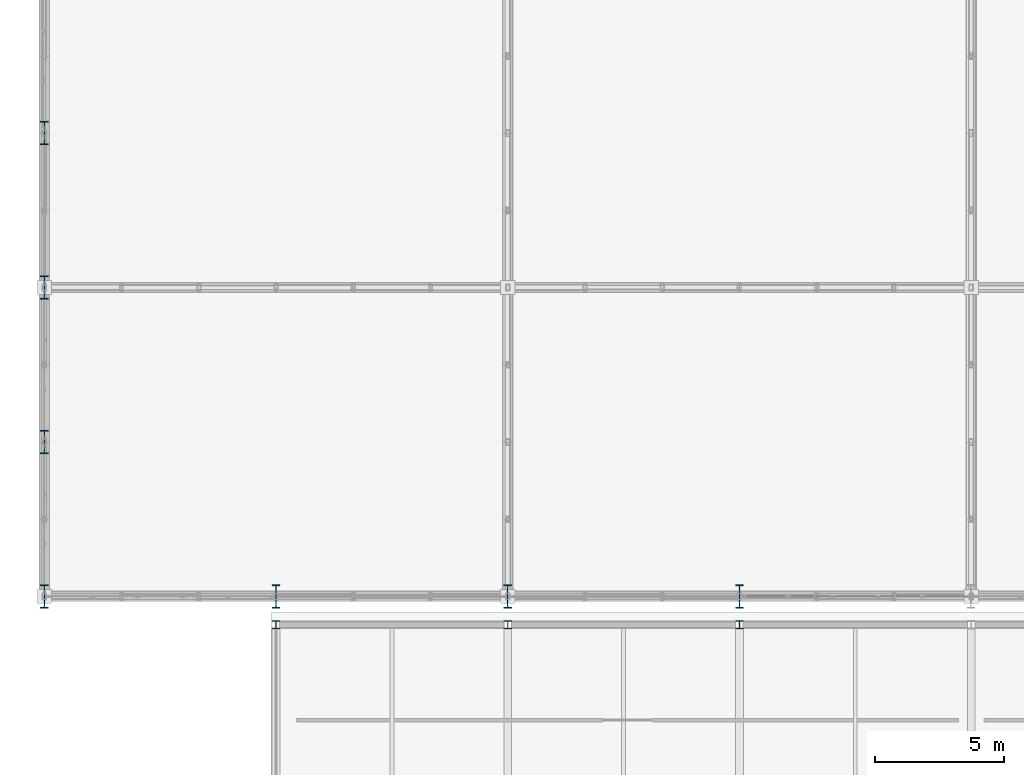
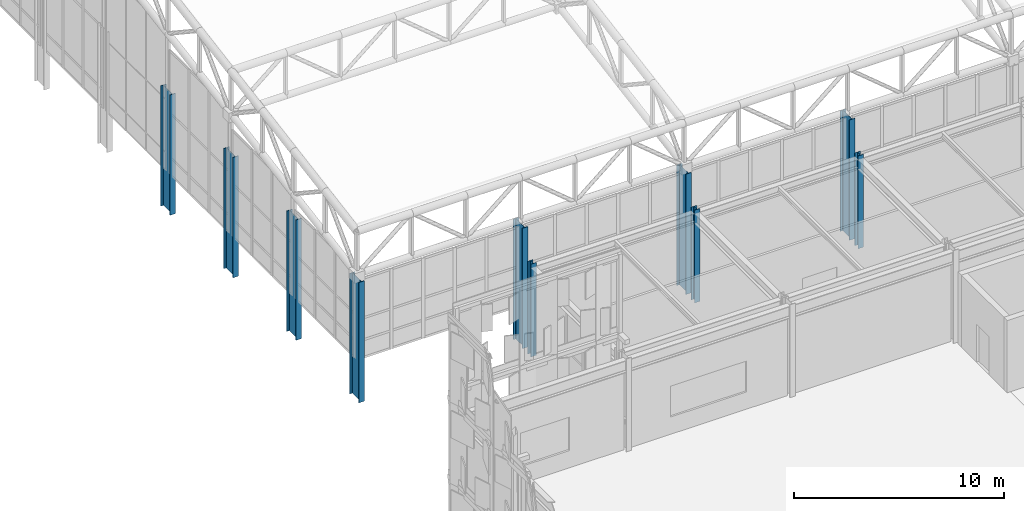
# One storey, part 5 of 239: 10 columns.
"""IFC4 building model written with IfcOpenShell, lengths in metres."""

from ifc_helpers import new_model, si_unit, direction, frame, origin, origin_2d, place, context, subcontext, project, spatial, i_section, extrude, material, material_profile, profile_set, type_object, element, save


model = new_model("IFC4")

# Units and contexts
model_context = context("Model", 3, precision=1e-05, world=origin(), true_north=direction((0.0, 1.0)))
body_context = subcontext(model_context, "Body", "Model", "MODEL_VIEW")
ifc_project = project(units=[si_unit("LENGTHUNIT", "METRE"), si_unit("AREAUNIT", "SQUARE_METRE"), si_unit("VOLUMEUNIT", "CUBIC_METRE"), si_unit("PLANEANGLEUNIT", "RADIAN"), si_unit("MASSUNIT", "GRAM", prefix="KILO")], contexts=[model_context])

# Site, building, storey
site_placement = place(None, origin())
site = spatial("IfcSite", under=ifc_project, at=site_placement, CompositionType="ELEMENT")
building_placement = place(site_placement, origin())
building = spatial("IfcBuilding", under=site, at=building_placement, Name="Kaldris Quays Convention Centre", CompositionType="ELEMENT")
storey_placement = place(building_placement, frame((0.0, 0.0, 11.39990234375)))
storey = spatial("IfcBuildingStorey", under=building, at=storey_placement, Name="L02", CompositionType="ELEMENT", Elevation=11.39990234375)

# Columns
ifc_material = material(Name="Steel S355J2", Category="steel")
ifc_material_profile_1 = material_profile(ifc_material, i_section(OverallWidth=0.300048828125, OverallDepth=0.89990234375, WebThickness=0.0185546875, FlangeThickness=0.034912109375, FilletRadius=0.030029296875, at=origin_2d()), Name="HEB 900")
ifc_profile_set_1 = profile_set([ifc_material_profile_1], Name="Steel S355J2")
column_type_1 = type_object("IfcColumnType", Name="STRUCTURAL COLUMN CL03", PredefinedType="COLUMN", material=ifc_profile_set_1)
for number, where, z_axis, x_axis, name in (
    (1, (20.0, 56.0, 0.0), (0.0, 0.0, 1.0), (1.0, 0.0, 0.0), "L02 V1 Column CL03 (20.00, 56.00)"),
    (2, (20.0, 62.0, 0.0), (0.0, 0.0, 1.0), (1.0, 0.0, 0.0), "L02 V1 Column CL03 (20.00, 62.00)"),
    (3, (20.0, 68.0, 0.0), (0.0, 0.0, 1.0), (1.0, 0.0, 0.0), "L02 V1 Column CL03 (20.00, 68.00)"),
    (4, (20.0, 74.0, 0.0), (0.0, 0.0, 1.0), (1.0, 0.0, 0.0), "L02 V1 Column CL03 (20.00, 74.00)"),
    (5, (29.0, 56.0, 0.0), (0.0, 0.0, 1.0), (1.0, 0.0, 0.0), "L02 V1 Column CL03 (29.00, 56.00)"),
    (6, (38.0, 56.0, 0.0), (0.0, 0.0, 1.0), (1.0, 0.0, 0.0), "L02 V1 Column CL03 (38.00, 56.00)"),
    (7, (47.0, 56.0, 0.0), (0.0, 0.0, 1.0), (1.0, 0.0, 0.0), "L02 V1 Column CL03 (47.00, 56.00)"),
):
    element("IfcColumn", number, at=place(storey_placement, frame(where, z_axis=z_axis, x_axis=x_axis)), inside=storey, type_object=column_type_1, Name=name, PredefinedType="COLUMN", context=body_context, shape_type="SweptSolid", body=[
        extrude(i_section(OverallWidth=0.300048828125, OverallDepth=0.89990234375, WebThickness=0.0185546875, FlangeThickness=0.034912109375, FilletRadius=0.030029296875, at=origin_2d()), origin(), (0.0, 0.0, 1.0), 7.0),
    ])
ifc_material_profile_2 = material_profile(ifc_material, i_section(OverallWidth=0.300048828125, OverallDepth=0.31005859375, WebThickness=0.009033203125, FlangeThickness=0.015380859375, FilletRadius=0.027099609375, at=origin_2d()), Name="HEA 320")
ifc_profile_set_2 = profile_set([ifc_material_profile_2], Name="Steel S355J2")
column_type_2 = type_object("IfcColumnType", Name="STRUCTURAL COLUMN CL17", PredefinedType="COLUMN", material=ifc_profile_set_2)
for number, where, z_axis, x_axis, name in (
    (8, (29.0, 54.89990234375, 0.0), (0.0, 0.0, 1.0), (1.0, 0.0, 0.0), "L02 V4 Column CL17 (29.00, 54.90)"),
    (9, (38.0, 54.89990234375, 0.0), (0.0, 0.0, 1.0), (1.0, 0.0, 0.0), "L02 V4 Column CL17 (38.00, 54.90)"),
    (10, (47.0, 54.89990234375, 0.0), (0.0, 0.0, 1.0), (1.0, 0.0, 0.0), "L02 V4 Column CL17 (47.00, 54.90)"),
):
    element("IfcColumn", number, at=place(storey_placement, frame(where, z_axis=z_axis, x_axis=x_axis)), inside=storey, type_object=column_type_2, Name=name, PredefinedType="COLUMN", context=body_context, shape_type="SweptSolid", body=[
        extrude(i_section(OverallWidth=0.300048828125, OverallDepth=0.31005859375, WebThickness=0.009033203125, FlangeThickness=0.015380859375, FilletRadius=0.027099609375, at=origin_2d()), origin(), (0.0, 0.0, 1.0), 5.400146484375),
    ])

save(model, "model.ifc")
